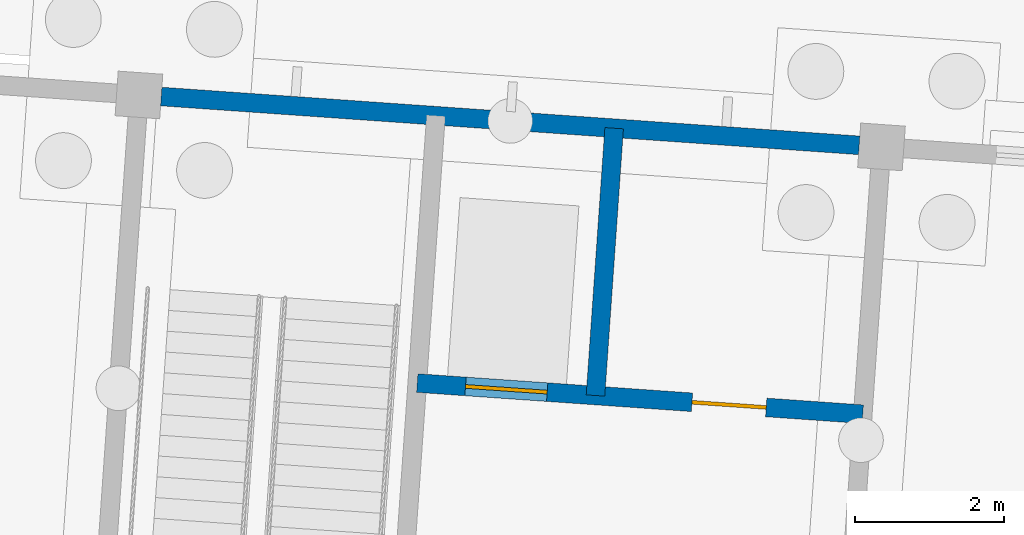
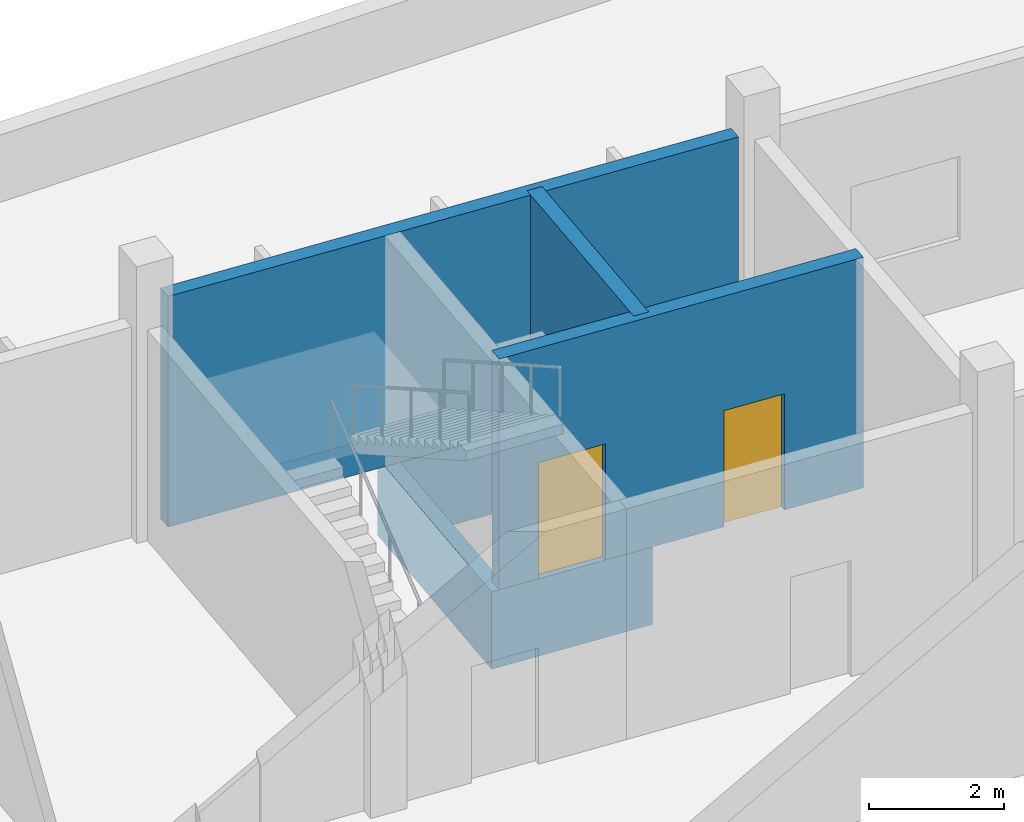
# One storey, part 109 of 157: 4 walls, 2 doors, 2 openings.
"""IFC4 building model written with IfcOpenShell, lengths in metres."""

from ifc_helpers import new_model, si_unit, direction, frame, frame_2d, origin, place, context, subcontext, project, spatial, polyline, rectangle, outline, extrude, material, layer, layer_set, type_object, element, fill, save


model = new_model("IFC4")

# Units and contexts
model_context = context("Model", 3, precision=1e-05, world=origin(), true_north=direction((0.0, 1.0)))
body_context = subcontext(model_context, "Body", "Model", "MODEL_VIEW")
ifc_project = project(units=[si_unit("LENGTHUNIT", "METRE"), si_unit("AREAUNIT", "SQUARE_METRE"), si_unit("VOLUMEUNIT", "CUBIC_METRE"), si_unit("PLANEANGLEUNIT", "RADIAN"), si_unit("MASSUNIT", "GRAM", prefix="KILO")], contexts=[model_context])

# Site, building, storey
site_placement = place(None, origin())
site = spatial("IfcSite", under=ifc_project, at=site_placement, CompositionType="ELEMENT")
building_placement = place(site_placement, origin())
building = spatial("IfcBuilding", under=site, at=building_placement, Name="Windward Yard Aquatics Centre", CompositionType="ELEMENT")
storey_placement = place(building_placement, origin())
storey = spatial("IfcBuildingStorey", under=building, at=storey_placement, Name="L00", CompositionType="ELEMENT", Elevation=0.0)

# Walls
ifc_material_1 = material(Name="Concrete C40/50", Category="concrete")
ifc_layer_1 = layer(ifc_material_1, 0.25)
ifc_layer_set_1 = layer_set([ifc_layer_1], Name="W RC core wall 250 Concrete C40/50")
wall_type_1 = type_object("IfcWallType", Name="W RC core wall 250 Concrete C40/50", PredefinedType="SOLIDWALL", material=ifc_layer_set_1)
wall_1_placement = place(storey_placement, frame((119.4775390625, 135.2998046875, 0.0), z_axis=(0.0, 0.0, 1.0), x_axis=(0.997563596579, -0.069762961373, 0.0)))
element("IfcWall", 1, at=wall_1_placement, inside=storey, type_object=wall_type_1, Name="W.FW.L00.N.46.8", PredefinedType="SOLIDWALL", context=body_context, shape_type="SweptSolid", body=[
    extrude(rectangle(XDim=9.39990234375, YDim=0.25, at=frame_2d((4.699951171875, 0.0))), origin(), (0.0, 0.0, 1.0), 4.169921875),
])
wall_2_placement = place(storey_placement, frame((125.3115234375, 131.283203125, 0.0), z_axis=(0.0, 0.0, 1.0), x_axis=(0.069719119461, 0.997566661623, 0.0)))
element("IfcWall", 2, at=wall_2_placement, inside=storey, type_object=wall_type_1, Name="W.WL.L00.005", PredefinedType="SOLIDWALL", context=body_context, shape_type="SweptSolid", body=[
    extrude(rectangle(XDim=3.599853515625, YDim=0.25, at=frame_2d((1.7998046875, 0.0))), origin(), (0.0, 0.0, 1.0), 4.169921875),
])

# Wall, openings, doors
wall_3_placement = place(storey_placement, frame((122.917236328125, 131.450439453125, 0.0), z_axis=(0.0, 0.0, 1.0), x_axis=(0.997564972454, -0.069743284499, 0.0)))
wall_3 = element("IfcWall", 3, at=wall_3_placement, inside=storey, type_object=wall_type_1, Name="W.WL.L00.032", PredefinedType="SOLIDWALL", context=body_context, shape_type="SweptSolid", body=[
    extrude(rectangle(XDim=6.0, YDim=0.25, at=frame_2d((3.0, 0.0))), origin(), (0.0, 0.0, 1.0), 4.169921875),
])
opening_1_placement = place(wall_3_placement, frame((3.699951171875, 0.0, 0.0)))
opening_1 = element("IfcOpeningElement", 4, at=opening_1_placement, cuts=wall_3, Name="Opening W0026", PredefinedType="OPENING", context=body_context, shape_type="SweptSolid", body=[
    extrude(rectangle(XDim=1.0, YDim=2.10009765625, at=frame_2d((0.5, 1.050048828125))), frame((0.0, 0.135009765625, 0.0), z_axis=(0.0, -1.0, 0.0), x_axis=(1.0, 0.0, 0.0)), (0.0, 0.0, 1.0), 0.27001953125),
])
opening_2_placement = place(wall_3_placement, frame((0.64990234375, 0.0, 0.0)))
opening_2 = element("IfcOpeningElement", 5, at=opening_2_placement, cuts=wall_3, Name="Opening W0027", PredefinedType="OPENING", context=body_context, shape_type="SweptSolid", body=[
    extrude(rectangle(XDim=1.10009765625, YDim=2.10009765625, at=frame_2d((0.550048828125, 1.050048828125))), frame((0.0, 0.135009765625, 0.0), z_axis=(0.0, -1.0, 0.0), x_axis=(1.0, 0.0, 0.0)), (0.0, 0.0, 1.0), 0.27001953125),
])
ifc_material_2 = material(Name="Steel fire door leaf", Category="steel")
door_type_1 = type_object("IfcDoorType", Name="W fire door FD60 1000x2100", OperationType="SINGLE_SWING_LEFT", PredefinedType="DOOR", material=ifc_material_2)
door_1_placement = place(opening_1_placement, origin())
door_1 = element("IfcDoor", 6, at=door_1_placement, inside=storey, type_object=door_type_1, Name="W.DRI.L00.022", OperationType="SINGLE_SWING_RIGHT", OverallHeight=2.10009765625, OverallWidth=1.0, PredefinedType="DOOR", context=body_context, shape_type="SweptSolid", body=[
    extrude(rectangle(XDim=1.0, YDim=2.10009765625, at=frame_2d((0.5, 1.050048828125))), frame((0.0, 0.02490234375, 0.0), z_axis=(0.0, -1.0, 0.0), x_axis=(1.0, 0.0, 0.0)), (0.0, 0.0, 1.0), 0.050048828125),
])
fill(opening_1, door_1)
ifc_material_3 = material(Name="Stainless steel sliding door leaf", Category="steel")
door_type_2 = type_object("IfcDoorType", Name="W lift landing door 1100x2100", OperationType="SLIDING_TO_LEFT", PredefinedType="DOOR", material=ifc_material_3)
door_2_placement = place(opening_2_placement, origin())
door_2 = element("IfcDoor", 7, at=door_2_placement, inside=storey, type_object=door_type_2, Name="Landing door W L00", OperationType="SLIDING_TO_LEFT", OverallHeight=2.10009765625, OverallWidth=1.10009765625, PredefinedType="DOOR", context=body_context, shape_type="SweptSolid", body=[
    extrude(rectangle(XDim=1.10009765625, YDim=2.10009765625, at=frame_2d((0.550048828125, 1.050048828125))), frame((0.0, 0.02490234375, 0.0), z_axis=(0.0, -1.0, 0.0), x_axis=(1.0, 0.0, 0.0)), (0.0, 0.0, 1.0), 0.050048828125),
])
fill(opening_2, door_2)

# Wall
ifc_layer_2 = layer(ifc_material_1, 0.25)
ifc_layer_set_2 = layer_set([ifc_layer_2], Name="W lift pit wall 250 Concrete C40/50")
wall_type_2 = type_object("IfcWallType", Name="W lift pit wall 250 Concrete C40/50", PredefinedType="SOLIDWALL", material=ifc_layer_set_2)
wall_4_placement = place(storey_placement, frame((0.0, 0.0, -1.39990234375)))
element("IfcWall", 8, at=wall_4_placement, inside=storey, type_object=wall_type_2, Name="W.PIT.WALL.W", PredefinedType="SOLIDWALL", context=body_context, shape_type="SweptSolid", body=[
    extrude(outline(polyline([(122.783935546875, 131.33447265625), (125.427490234375, 131.149658203125), (125.696044921875, 134.990234375), (123.052490234375, 135.17529296875), (122.783935546875, 131.33447265625)]), holes=[polyline([(123.05078125, 131.56640625), (125.195556640625, 131.41650390625), (125.42919921875, 134.75830078125), (123.284423828125, 134.908203125), (123.05078125, 131.56640625)])]), origin(), (0.0, 0.0, 1.0), 1.39990234375),
])

save(model, "model.ifc")
